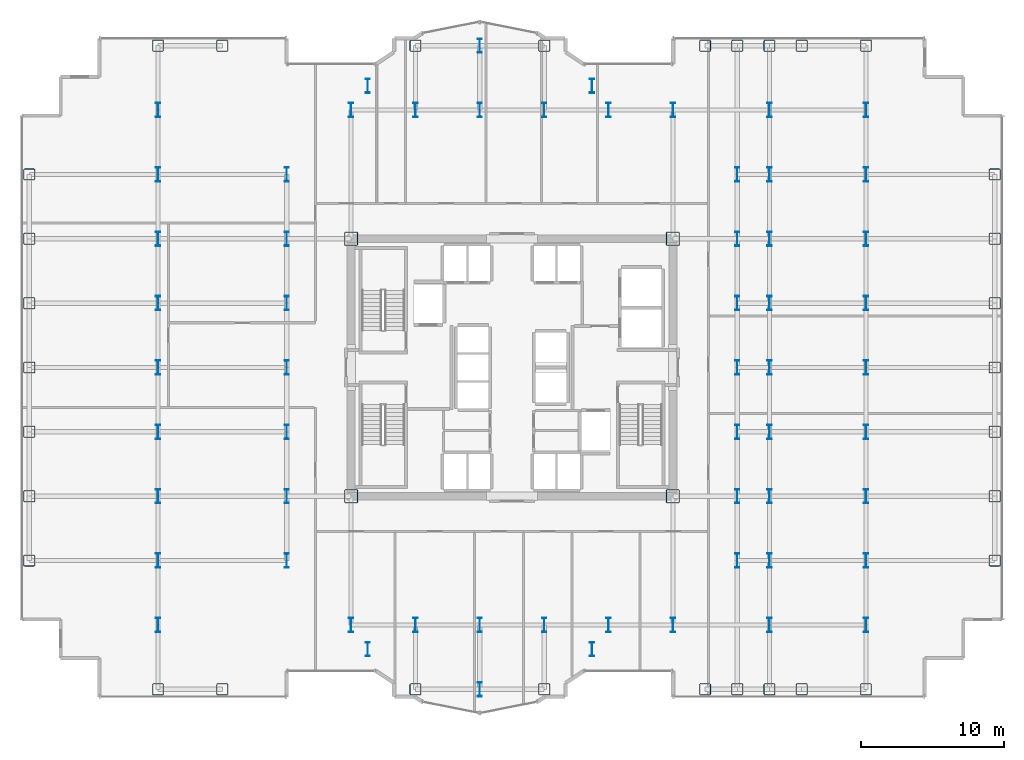
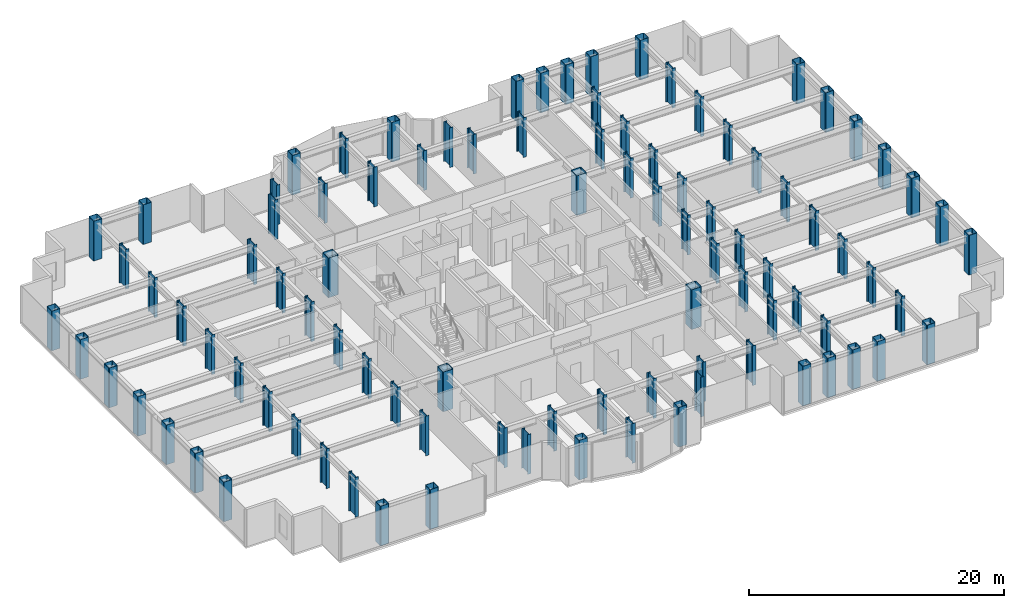
# One storey, part 1 of 25: 95 columns.
"""IFC4 building model written with IfcOpenShell, lengths in metres."""

from ifc_helpers import new_model, si_unit, direction, frame, origin, origin_2d, place, context, subcontext, project, spatial, hollow_rectangle, i_section, extrude, source, transform, mapped, material, material_profile, profile_set, type_object, element, save


model = new_model("IFC4")

# Units and contexts
model_context = context("Model", 3, precision=1e-05, world=origin(), true_north=direction((0.0, 1.0)))
body_context = subcontext(model_context, "Body", "Model", "MODEL_VIEW")
ifc_project = project(units=[si_unit("LENGTHUNIT", "METRE"), si_unit("AREAUNIT", "SQUARE_METRE"), si_unit("VOLUMEUNIT", "CUBIC_METRE"), si_unit("PLANEANGLEUNIT", "RADIAN"), si_unit("MASSUNIT", "GRAM", prefix="KILO")], contexts=[model_context])

# Site, building, storey
site_placement = place(None, origin())
site = spatial("IfcSite", under=ifc_project, at=site_placement, CompositionType="ELEMENT")
building_placement = place(site_placement, origin())
building = spatial("IfcBuilding", under=site, at=building_placement, Name="Nefas-Gora Pilgrimage Tower", CompositionType="ELEMENT")
storey_placement = place(building_placement, frame((0.0, 0.0, 109.800048828125)))
storey = spatial("IfcBuildingStorey", under=building, at=storey_placement, Name="L26", CompositionType="ELEMENT", Elevation=109.800048828125)

# Columns
ifc_material = material(Name="Steel S460", Category="steel")
ifc_material_profile_1 = material_profile(ifc_material, i_section(OverallWidth=0.302001953125, OverallDepth=1.008056640625, WebThickness=0.02099609375, FlangeThickness=0.0400390625, FilletRadius=0.030029296875, at=origin_2d()), Name="HEM 1000")
ifc_profile_set_1 = profile_set([ifc_material_profile_1], Name="Steel S460")
column_type_1 = type_object("IfcColumnType", Name="COL-WEB-HEM1000", PredefinedType="COLUMN", material=ifc_profile_set_1)
shared_shape_1 = source(origin(), body_context, "Body", "SweptSolid", [
    extrude(i_section(OverallWidth=0.302001953125, OverallDepth=1.008056640625, WebThickness=0.02099609375, FlangeThickness=0.0400390625, FilletRadius=0.030029296875, at=origin_2d()), origin(), (0.0, 0.0, 1.0), 3.800048828125),
])
for number, where, z_axis, x_axis, name in (
    (1, (-24.75, -18.0, 0.0), (0.0, 0.0, 1.0), (1.0, 0.0, 0.0), "L26 Tower Column CW-01.9"),
    (2, (-24.75, -13.5, 0.0), (0.0, 0.0, 1.0), (1.0, 0.0, 0.0), "L26 Tower Column CW-01.10"),
    (3, (-24.75, -9.0, 0.0), (0.0, 0.0, 1.0), (1.0, 0.0, 0.0), "L26 Tower Column CW-01.11"),
    (4, (-24.75, -4.5, 0.0), (0.0, 0.0, 1.0), (1.0, 0.0, 0.0), "L26 Tower Column CW-01.12"),
    (5, (-24.75, 0.0, 0.0), (0.0, 0.0, 1.0), (1.0, 0.0, 0.0), "L26 Tower Column CW-01.13"),
    (6, (-24.75, 4.5, 0.0), (0.0, 0.0, 1.0), (1.0, 0.0, 0.0), "L26 Tower Column CW-01.14"),
    (7, (-24.75, 9.0, 0.0), (0.0, 0.0, 1.0), (1.0, 0.0, 0.0), "L26 Tower Column CW-01.15"),
    (8, (-24.75, 13.5, 0.0), (0.0, 0.0, 1.0), (1.0, 0.0, 0.0), "L26 Tower Column CW-01.16"),
    (9, (-24.75, 18.0, 0.0), (0.0, 0.0, 1.0), (1.0, 0.0, 0.0), "L26 Tower Column CW-01.17"),
    (10, (-15.75, -13.5, 0.0), (0.0, 0.0, 1.0), (1.0, 0.0, 0.0), "L26 Tower Column CW-01.21"),
    (11, (-15.75, -9.0, 0.0), (0.0, 0.0, 1.0), (1.0, 0.0, 0.0), "L26 Tower Column CW-01.22"),
    (12, (-15.75, -4.5, 0.0), (0.0, 0.0, 1.0), (1.0, 0.0, 0.0), "L26 Tower Column CW-01.23"),
    (13, (-15.75, 0.0, 0.0), (0.0, 0.0, 1.0), (1.0, 0.0, 0.0), "L26 Tower Column CW-01.24"),
    (14, (-15.75, 4.5, 0.0), (0.0, 0.0, 1.0), (1.0, 0.0, 0.0), "L26 Tower Column CW-01.25"),
    (15, (-15.75, 9.0, 0.0), (0.0, 0.0, 1.0), (1.0, 0.0, 0.0), "L26 Tower Column CW-01.26"),
    (16, (-15.75, 13.5, 0.0), (0.0, 0.0, 1.0), (1.0, 0.0, 0.0), "L26 Tower Column CW-01.27"),
    (17, (-11.25, -18.0, 0.0), (0.0, 0.0, 1.0), (1.0, 0.0, 0.0), "L26 Tower Column CW-01.28"),
    (18, (-11.25, 18.0, 0.0), (0.0, 0.0, 1.0), (1.0, 0.0, 0.0), "L26 Tower Column CW-01.31"),
    (19, (-10.091064453125, -19.696044921875, 0.0), (0.0, 0.0, 1.0), (1.0, 0.0, 0.0), "L26 Tower Column CW-01.32"),
    (20, (-10.091064453125, 19.696044921875, 0.0), (0.0, 0.0, 1.0), (1.0, 0.0, 0.0), "L26 Tower Column CW-01.33"),
    (21, (-6.75, -18.0, 0.0), (0.0, 0.0, 1.0), (1.0, 0.0, 0.0), "L26 Tower Column CW-01.35"),
    (22, (-6.75, 18.0, 0.0), (0.0, 0.0, 1.0), (1.0, 0.0, 0.0), "L26 Tower Column CW-01.36"),
    (23, (-2.25, -22.5, 0.0), (0.0, 0.0, 1.0), (1.0, 0.0, 0.0), "L26 Tower Column CW-01.38"),
    (24, (-2.25, -18.0, 0.0), (0.0, 0.0, 1.0), (1.0, 0.0, 0.0), "L26 Tower Column CW-01.39"),
    (25, (-2.25, 18.0, 0.0), (0.0, 0.0, 1.0), (1.0, 0.0, 0.0), "L26 Tower Column CW-01.40"),
    (26, (-2.25, 22.5, 0.0), (0.0, 0.0, 1.0), (1.0, 0.0, 0.0), "L26 Tower Column CW-01.41"),
    (27, (2.25, -18.0, 0.0), (0.0, 0.0, 1.0), (1.0, 0.0, 0.0), "L26 Tower Column CW-01.43"),
    (28, (2.25, 18.0, 0.0), (0.0, 0.0, 1.0), (1.0, 0.0, 0.0), "L26 Tower Column CW-01.44"),
    (29, (5.591064453125, -19.696044921875, 0.0), (0.0, 0.0, 1.0), (1.0, 0.0, 0.0), "L26 Tower Column CW-01.46"),
    (30, (5.591064453125, 19.696044921875, 0.0), (0.0, 0.0, 1.0), (1.0, 0.0, 0.0), "L26 Tower Column CW-01.47"),
    (31, (6.75, -18.0, 0.0), (0.0, 0.0, 1.0), (1.0, 0.0, 0.0), "L26 Tower Column CW-01.48"),
    (32, (6.75, 18.0, 0.0), (0.0, 0.0, 1.0), (1.0, 0.0, 0.0), "L26 Tower Column CW-01.49"),
    (33, (11.25, -18.0, 0.0), (0.0, 0.0, 1.0), (1.0, 0.0, 0.0), "L26 Tower Column CW-01.50"),
    (34, (11.25, 18.0, 0.0), (0.0, 0.0, 1.0), (1.0, 0.0, 0.0), "L26 Tower Column CW-01.53"),
    (35, (15.75, -13.5, 0.0), (0.0, 0.0, 1.0), (1.0, 0.0, 0.0), "L26 Tower Column CW-01.57"),
    (36, (15.75, -9.0, 0.0), (0.0, 0.0, 1.0), (1.0, 0.0, 0.0), "L26 Tower Column CW-01.58"),
    (37, (15.75, -4.5, 0.0), (0.0, 0.0, 1.0), (1.0, 0.0, 0.0), "L26 Tower Column CW-01.59"),
    (38, (15.75, 0.0, 0.0), (0.0, 0.0, 1.0), (1.0, 0.0, 0.0), "L26 Tower Column CW-01.60"),
    (39, (15.75, 4.5, 0.0), (0.0, 0.0, 1.0), (1.0, 0.0, 0.0), "L26 Tower Column CW-01.61"),
    (40, (15.75, 9.0, 0.0), (0.0, 0.0, 1.0), (1.0, 0.0, 0.0), "L26 Tower Column CW-01.62"),
    (41, (15.75, 13.5, 0.0), (0.0, 0.0, 1.0), (1.0, 0.0, 0.0), "L26 Tower Column CW-01.63"),
    (42, (18.0, -18.0, 0.0), (0.0, 0.0, 1.0), (1.0, 0.0, 0.0), "L26 Tower Column CW-01.66"),
    (43, (18.0, -13.5, 0.0), (0.0, 0.0, 1.0), (1.0, 0.0, 0.0), "L26 Tower Column CW-01.67"),
    (44, (18.0, -9.0, 0.0), (0.0, 0.0, 1.0), (1.0, 0.0, 0.0), "L26 Tower Column CW-01.68"),
    (45, (18.0, -4.5, 0.0), (0.0, 0.0, 1.0), (1.0, 0.0, 0.0), "L26 Tower Column CW-01.69"),
    (46, (18.0, 0.0, 0.0), (0.0, 0.0, 1.0), (1.0, 0.0, 0.0), "L26 Tower Column CW-01.70"),
    (47, (18.0, 4.5, 0.0), (0.0, 0.0, 1.0), (1.0, 0.0, 0.0), "L26 Tower Column CW-01.71"),
    (48, (18.0, 9.0, 0.0), (0.0, 0.0, 1.0), (1.0, 0.0, 0.0), "L26 Tower Column CW-01.72"),
    (49, (18.0, 13.5, 0.0), (0.0, 0.0, 1.0), (1.0, 0.0, 0.0), "L26 Tower Column CW-01.73"),
    (50, (18.0, 18.0, 0.0), (0.0, 0.0, 1.0), (1.0, 0.0, 0.0), "L26 Tower Column CW-01.74"),
    (51, (24.75, -18.0, 0.0), (0.0, 0.0, 1.0), (1.0, 0.0, 0.0), "L26 Tower Column CW-01.79"),
    (52, (24.75, -13.5, 0.0), (0.0, 0.0, 1.0), (1.0, 0.0, 0.0), "L26 Tower Column CW-01.80"),
    (53, (24.75, -9.0, 0.0), (0.0, 0.0, 1.0), (1.0, 0.0, 0.0), "L26 Tower Column CW-01.81"),
    (54, (24.75, -4.5, 0.0), (0.0, 0.0, 1.0), (1.0, 0.0, 0.0), "L26 Tower Column CW-01.82"),
    (55, (24.75, 0.0, 0.0), (0.0, 0.0, 1.0), (1.0, 0.0, 0.0), "L26 Tower Column CW-01.83"),
    (56, (24.75, 4.5, 0.0), (0.0, 0.0, 1.0), (1.0, 0.0, 0.0), "L26 Tower Column CW-01.84"),
    (57, (24.75, 9.0, 0.0), (0.0, 0.0, 1.0), (1.0, 0.0, 0.0), "L26 Tower Column CW-01.85"),
    (58, (24.75, 13.5, 0.0), (0.0, 0.0, 1.0), (1.0, 0.0, 0.0), "L26 Tower Column CW-01.86"),
    (59, (24.75, 18.0, 0.0), (0.0, 0.0, 1.0), (1.0, 0.0, 0.0), "L26 Tower Column CW-01.87"),
):
    element("IfcColumn", number, at=place(storey_placement, frame(where, z_axis=z_axis, x_axis=x_axis)), inside=storey, type_object=column_type_1, Name=name, PredefinedType="COLUMN", context=body_context, shape_type="MappedRepresentation", body=[
        mapped(shared_shape_1, transform((0.0, 0.0, 0.0), x_axis=(1.0, 0.0, 0.0), y_axis=(0.0, 1.0, 0.0), z_axis=(0.0, 0.0, 1.0), scale=1.0)),
    ])
ifc_material_profile_2 = material_profile(ifc_material, hollow_rectangle(XDim=0.949951171875, YDim=0.949951171875, WallThickness=0.044921875, InnerFilletRadius=0.044921875, OuterFilletRadius=0.090087890625, at=origin_2d()), Name="BOX 950x950x45")
ifc_profile_set_2 = profile_set([ifc_material_profile_2], Name="Steel S460")
column_type_2 = type_object("IfcColumnType", Name="COL-CORE-950", PredefinedType="COLUMN", material=ifc_profile_set_2)
shared_shape_2 = source(origin(), body_context, "Body", "SweptSolid", [
    extrude(hollow_rectangle(XDim=0.949951171875, YDim=0.949951171875, WallThickness=0.044921875, InnerFilletRadius=0.044921875, OuterFilletRadius=0.090087890625, at=origin_2d()), origin(), (0.0, 0.0, 1.0), 3.800048828125),
])
for number, where, z_axis, x_axis, name in (
    (60, (-11.25, -9.0, 0.0), (0.0, 0.0, 1.0), (1.0, 0.0, 0.0), "L26 Tower Column CC-Z1.29"),
    (61, (-11.25, 9.0, 0.0), (0.0, 0.0, 1.0), (1.0, 0.0, 0.0), "L26 Tower Column CC-Z1.30"),
    (62, (11.25, -9.0, 0.0), (0.0, 0.0, 1.0), (1.0, 0.0, 0.0), "L26 Tower Column CC-Z1.51"),
    (63, (11.25, 9.0, 0.0), (0.0, 0.0, 1.0), (1.0, 0.0, 0.0), "L26 Tower Column CC-Z1.52"),
):
    element("IfcColumn", number, at=place(storey_placement, frame(where, z_axis=z_axis, x_axis=x_axis)), inside=storey, type_object=column_type_2, Name=name, PredefinedType="COLUMN", context=body_context, shape_type="MappedRepresentation", body=[
        mapped(shared_shape_2, transform((0.0, 0.0, 0.0), x_axis=(1.0, 0.0, 0.0), y_axis=(0.0, 1.0, 0.0), z_axis=(0.0, 0.0, 1.0), scale=1.0)),
    ])
ifc_material_profile_3 = material_profile(ifc_material, hollow_rectangle(XDim=0.800048828125, YDim=0.800048828125, WallThickness=0.0400390625, InnerFilletRadius=0.0400390625, OuterFilletRadius=0.080078125, at=origin_2d()), Name="BOX 800x800x40")
ifc_profile_set_3 = profile_set([ifc_material_profile_3], Name="Steel S460")
column_type_3 = type_object("IfcColumnType", Name="COL-TUBE-800", PredefinedType="COLUMN", material=ifc_profile_set_3)
shared_shape_3 = source(origin(), body_context, "Body", "SweptSolid", [
    extrude(hollow_rectangle(XDim=0.800048828125, YDim=0.800048828125, WallThickness=0.0400390625, InnerFilletRadius=0.0400390625, OuterFilletRadius=0.080078125, at=origin_2d()), origin(), (0.0, 0.0, 1.0), 3.800048828125),
])
for number, where, z_axis, x_axis, name in (
    (64, (-33.75, -13.5, 0.0), (0.0, 0.0, 1.0), (1.0, 0.0, 0.0), "L26 Tower Column C-Z2.1"),
    (65, (-33.75, -9.0, 0.0), (0.0, 0.0, 1.0), (1.0, 0.0, 0.0), "L26 Tower Column C-Z2.2"),
    (66, (-33.75, -4.5, 0.0), (0.0, 0.0, 1.0), (1.0, 0.0, 0.0), "L26 Tower Column C-Z2.3"),
    (67, (-33.75, 0.0, 0.0), (0.0, 0.0, 1.0), (1.0, 0.0, 0.0), "L26 Tower Column C-Z2.4"),
    (68, (-33.75, 4.5, 0.0), (0.0, 0.0, 1.0), (1.0, 0.0, 0.0), "L26 Tower Column C-Z2.5"),
    (69, (-33.75, 9.0, 0.0), (0.0, 0.0, 1.0), (1.0, 0.0, 0.0), "L26 Tower Column C-Z2.6"),
    (70, (-33.75, 13.5, 0.0), (0.0, 0.0, 1.0), (1.0, 0.0, 0.0), "L26 Tower Column C-Z2.7"),
    (71, (-24.75, -22.5, 0.0), (0.0, 0.0, 1.0), (1.0, 0.0, 0.0), "L26 Tower Column C-Z2.8"),
    (72, (-24.75, 22.5, 0.0), (0.0, 0.0, 1.0), (1.0, 0.0, 0.0), "L26 Tower Column C-Z2.18"),
    (73, (-20.25, -22.5, 0.0), (0.0, 0.0, 1.0), (1.0, 0.0, 0.0), "L26 Tower Column C-Z2.19"),
    (74, (-20.25, 22.5, 0.0), (0.0, 0.0, 1.0), (1.0, 0.0, 0.0), "L26 Tower Column C-Z2.20"),
    (75, (-6.75, -22.5, 0.0), (0.0, 0.0, 1.0), (1.0, 0.0, 0.0), "L26 Tower Column C-Z2.34"),
    (76, (-6.75, 22.5, 0.0), (0.0, 0.0, 1.0), (1.0, 0.0, 0.0), "L26 Tower Column C-Z2.37"),
    (77, (2.25, -22.5, 0.0), (0.0, 0.0, 1.0), (1.0, 0.0, 0.0), "L26 Tower Column C-Z2.42"),
    (78, (2.25, 22.5, 0.0), (0.0, 0.0, 1.0), (1.0, 0.0, 0.0), "L26 Tower Column C-Z2.45"),
    (79, (13.5, -22.5, 0.0), (0.0, 0.0, 1.0), (1.0, 0.0, 0.0), "L26 Tower Column C-Z2.54"),
    (80, (13.5, 22.5, 0.0), (0.0, 0.0, 1.0), (1.0, 0.0, 0.0), "L26 Tower Column C-Z2.55"),
    (81, (15.75, -22.5, 0.0), (0.0, 0.0, 1.0), (1.0, 0.0, 0.0), "L26 Tower Column C-Z2.56"),
    (82, (15.75, 22.5, 0.0), (0.0, 0.0, 1.0), (1.0, 0.0, 0.0), "L26 Tower Column C-Z2.64"),
    (83, (18.0, -22.5, 0.0), (0.0, 0.0, 1.0), (1.0, 0.0, 0.0), "L26 Tower Column C-Z2.65"),
    (84, (18.0, 22.5, 0.0), (0.0, 0.0, 1.0), (1.0, 0.0, 0.0), "L26 Tower Column C-Z2.75"),
    (85, (20.25, -22.5, 0.0), (0.0, 0.0, 1.0), (1.0, 0.0, 0.0), "L26 Tower Column C-Z2.76"),
    (86, (20.25, 22.5, 0.0), (0.0, 0.0, 1.0), (1.0, 0.0, 0.0), "L26 Tower Column C-Z2.77"),
    (87, (24.75, -22.5, 0.0), (0.0, 0.0, 1.0), (1.0, 0.0, 0.0), "L26 Tower Column C-Z2.78"),
    (88, (24.75, 22.5, 0.0), (0.0, 0.0, 1.0), (1.0, 0.0, 0.0), "L26 Tower Column C-Z2.88"),
    (89, (33.75, -13.5, 0.0), (0.0, 0.0, 1.0), (1.0, 0.0, 0.0), "L26 Tower Column C-Z2.89"),
    (90, (33.75, -9.0, 0.0), (0.0, 0.0, 1.0), (1.0, 0.0, 0.0), "L26 Tower Column C-Z2.90"),
    (91, (33.75, -4.5, 0.0), (0.0, 0.0, 1.0), (1.0, 0.0, 0.0), "L26 Tower Column C-Z2.91"),
    (92, (33.75, 0.0, 0.0), (0.0, 0.0, 1.0), (1.0, 0.0, 0.0), "L26 Tower Column C-Z2.92"),
    (93, (33.75, 4.5, 0.0), (0.0, 0.0, 1.0), (1.0, 0.0, 0.0), "L26 Tower Column C-Z2.93"),
    (94, (33.75, 9.0, 0.0), (0.0, 0.0, 1.0), (1.0, 0.0, 0.0), "L26 Tower Column C-Z2.94"),
    (95, (33.75, 13.5, 0.0), (0.0, 0.0, 1.0), (1.0, 0.0, 0.0), "L26 Tower Column C-Z2.95"),
):
    element("IfcColumn", number, at=place(storey_placement, frame(where, z_axis=z_axis, x_axis=x_axis)), inside=storey, type_object=column_type_3, Name=name, PredefinedType="COLUMN", context=body_context, shape_type="MappedRepresentation", body=[
        mapped(shared_shape_3, transform((0.0, 0.0, 0.0), x_axis=(1.0, 0.0, 0.0), y_axis=(0.0, 1.0, 0.0), z_axis=(0.0, 0.0, 1.0), scale=1.0)),
    ])

save(model, "model.ifc")
